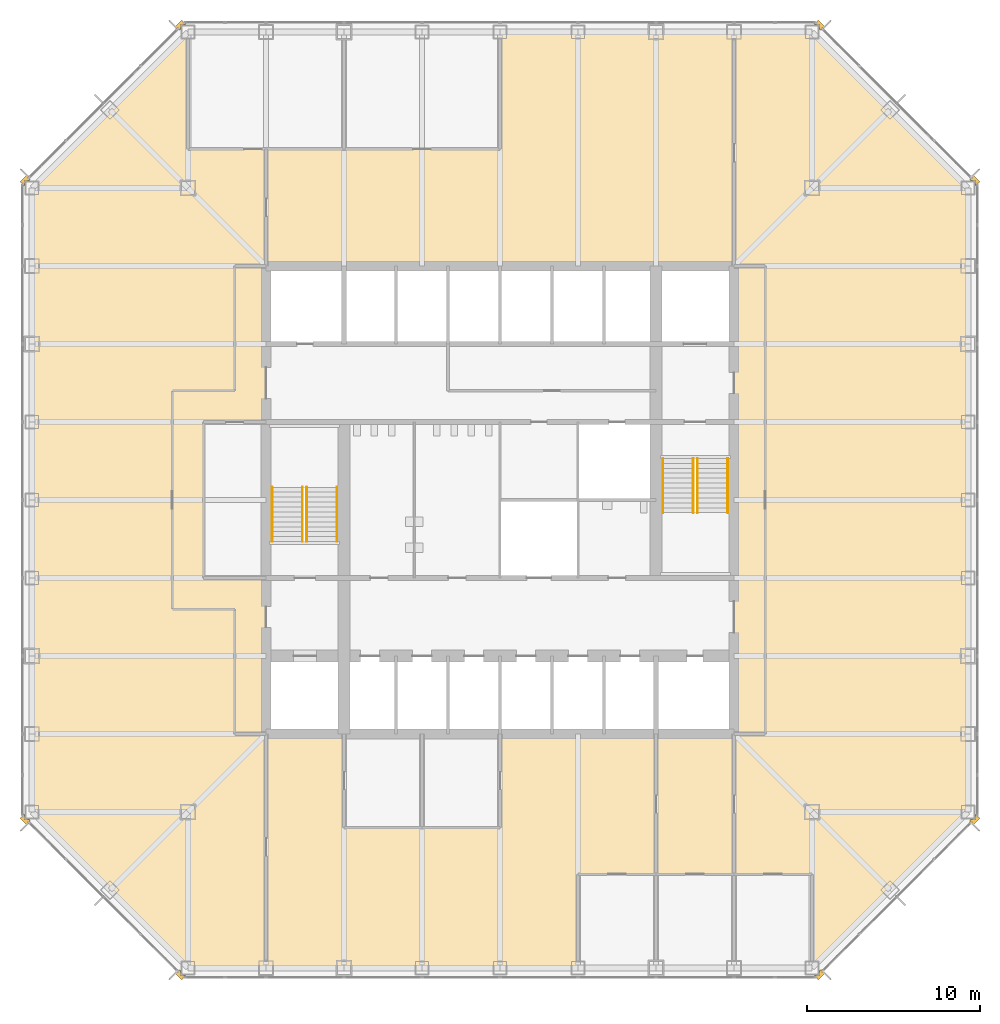
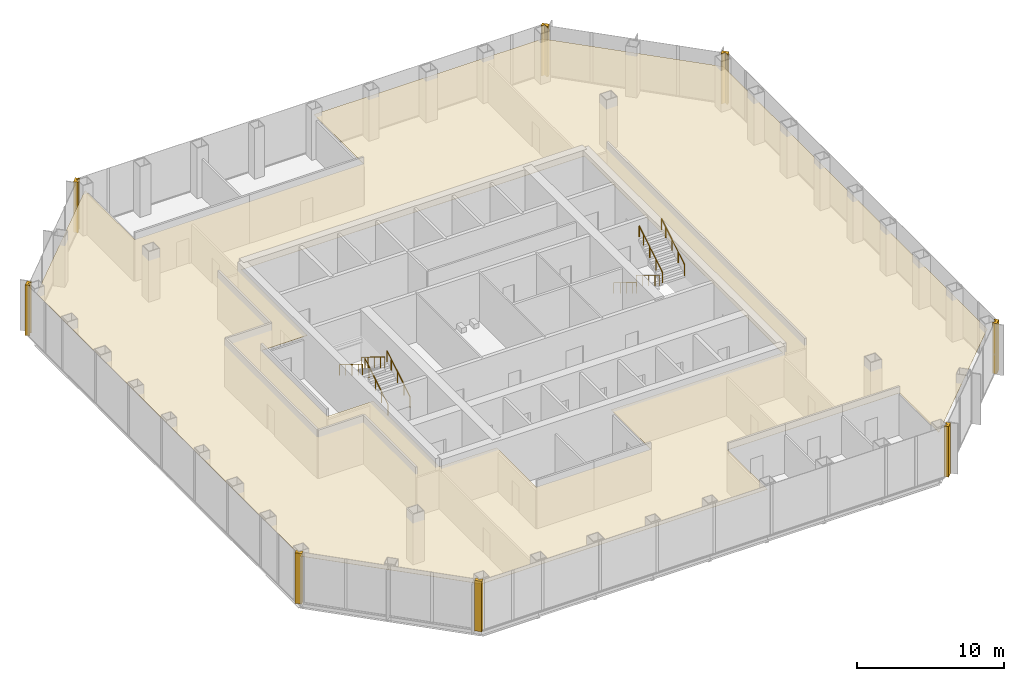
# One storey, part 11 of 12: 9 coverings, 8 railings.
"""IFC4 building model written with IfcOpenShell, lengths in metres."""

from ifc_helpers import new_model, si_unit, direction, frame, origin, origin_2d, place, context, subcontext, project, spatial, polyline, circle, outline, extrude, material, layer, layer_set, type_object, element, save


model = new_model("IFC4")

# Units and contexts
model_context = context("Model", 3, precision=1e-05, world=origin(), true_north=direction((0.0, 1.0)))
body_context = subcontext(model_context, "Body", "Model", "MODEL_VIEW")
ifc_project = project(units=[si_unit("LENGTHUNIT", "METRE"), si_unit("AREAUNIT", "SQUARE_METRE"), si_unit("VOLUMEUNIT", "CUBIC_METRE"), si_unit("PLANEANGLEUNIT", "RADIAN"), si_unit("MASSUNIT", "GRAM", prefix="KILO")], contexts=[model_context])

# Site, building, storey
site_placement = place(None, origin())
site = spatial("IfcSite", under=ifc_project, at=site_placement, CompositionType="ELEMENT")
building_placement = place(site_placement, origin())
building = spatial("IfcBuilding", under=site, at=building_placement, Name="Corais Broadcast Tower", CompositionType="ELEMENT")
storey_placement = place(building_placement, frame((0.0, 0.0, 50.0)))
storey = spatial("IfcBuildingStorey", under=building, at=storey_placement, Name="L10", CompositionType="ELEMENT", Elevation=50.0)

# Railings
ifc_material_1 = material(Name="Stainless steel handrail", Category="steel")
railing_type = type_object("IfcRailingType", Name="Handrail 920", PredefinedType="HANDRAIL", material=ifc_material_1)
for number, where, name in (
    (1, (17.60009765625, 24.60009765625, 0.175048828125), "HR1 L10"),
    (2, (15.85009765625, 24.60009765625, 0.175048828125), "HR1 L10"),
):
    element("IfcRailing", number, at=place(storey_placement, frame(where)), inside=storey, type_object=railing_type, Name=name, PredefinedType="HANDRAIL", context=body_context, shape_type="SweptSolid", body=[
        extrude(circle(Radius=0.02392578125, at=origin_2d()), frame((0.0, 0.0, 0.89599609375), z_axis=(0.0, 0.852166034122, 0.523271488128), x_axis=(-1.0, 0.0, 0.0)), (0.0, 0.0, 1.0), 3.678955078125),
        extrude(circle(Radius=0.02099609375, at=origin_2d()), origin(), (0.0, 0.0, 1.0), 0.871826171875),
        extrude(circle(Radius=0.02099609375, at=origin_2d()), frame((0.0, 0.85498046875, 0.52490234375)), (0.0, 0.0, 1.0), 0.871826171875),
        extrude(circle(Radius=0.02099609375, at=origin_2d()), frame((0.0, 1.7099609375, 1.050048828125)), (0.0, 0.0, 1.0), 0.871826171875),
        extrude(circle(Radius=0.02099609375, at=origin_2d()), frame((0.0, 2.56494140625, 1.574951171875)), (0.0, 0.0, 1.0), 0.871826171875),
        extrude(circle(Radius=0.02099609375, at=origin_2d()), frame((0.0, 3.135009765625, 1.925048828125)), (0.0, 0.0, 1.0), 0.871826171875),
    ])
for number, where, name in (
    (3, (13.85009765625, 27.735107421875, 2.27490234375), "HR1 L10"),
    (4, (15.60009765625, 27.735107421875, 2.27490234375), "HR1 L10"),
    (5, (36.39990234375, 29.39990234375, 0.175048828125), "HR1 L10"),
    (6, (38.14990234375, 29.39990234375, 0.175048828125), "HR1 L10"),
):
    element("IfcRailing", number, at=place(storey_placement, frame(where)), inside=storey, type_object=railing_type, Name=name, PredefinedType="HANDRAIL", context=body_context, shape_type="SweptSolid", body=[
        extrude(circle(Radius=0.02392578125, at=origin_2d()), frame((0.0, 0.0, 0.89599609375), z_axis=(0.0, -0.852166034122, 0.523271488128), x_axis=(1.0, 0.0, 0.0)), (0.0, 0.0, 1.0), 3.678955078125),
        extrude(circle(Radius=0.02099609375, at=origin_2d()), origin(), (0.0, 0.0, 1.0), 0.871826171875),
        extrude(circle(Radius=0.02099609375, at=origin_2d()), frame((0.0, -0.85498046875, 0.52490234375)), (0.0, 0.0, 1.0), 0.871826171875),
        extrude(circle(Radius=0.02099609375, at=origin_2d()), frame((0.0, -1.7099609375, 1.050048828125)), (0.0, 0.0, 1.0), 0.871826171875),
        extrude(circle(Radius=0.02099609375, at=origin_2d()), frame((0.0, -2.56494140625, 1.574951171875)), (0.0, 0.0, 1.0), 0.871826171875),
        extrude(circle(Radius=0.02099609375, at=origin_2d()), frame((0.0, -3.135009765625, 1.925048828125)), (0.0, 0.0, 1.0), 0.871826171875),
    ])
for number, where, name in (
    (7, (40.14990234375, 26.264892578125, 2.27490234375), "HR1 L10"),
    (8, (38.39990234375, 26.264892578125, 2.27490234375), "HR1 L10"),
):
    element("IfcRailing", number, at=place(storey_placement, frame(where)), inside=storey, type_object=railing_type, Name=name, PredefinedType="HANDRAIL", context=body_context, shape_type="SweptSolid", body=[
        extrude(circle(Radius=0.02392578125, at=origin_2d()), frame((0.0, 0.0, 0.89599609375), z_axis=(0.0, 0.852166034122, 0.523271488128), x_axis=(-1.0, 0.0, 0.0)), (0.0, 0.0, 1.0), 3.678955078125),
        extrude(circle(Radius=0.02099609375, at=origin_2d()), origin(), (0.0, 0.0, 1.0), 0.871826171875),
        extrude(circle(Radius=0.02099609375, at=origin_2d()), frame((0.0, 0.85498046875, 0.52490234375)), (0.0, 0.0, 1.0), 0.871826171875),
        extrude(circle(Radius=0.02099609375, at=origin_2d()), frame((0.0, 1.7099609375, 1.050048828125)), (0.0, 0.0, 1.0), 0.871826171875),
        extrude(circle(Radius=0.02099609375, at=origin_2d()), frame((0.0, 2.56494140625, 1.574951171875)), (0.0, 0.0, 1.0), 0.871826171875),
        extrude(circle(Radius=0.02099609375, at=origin_2d()), frame((0.0, 3.135009765625, 1.925048828125)), (0.0, 0.0, 1.0), 0.871826171875),
    ])

# Coverings
ifc_material_2 = material(Name="Granite stone cladding", Category="masonry")
ifc_layer_1 = layer(ifc_material_2, 0.324951171875)
ifc_layer_set_1 = layer_set([ifc_layer_1], Name="Granite stone cladding")
covering_type_1 = type_object("IfcCoveringType", Name="Stone corner pier cladding 500x325", PredefinedType="CLADDING", material=ifc_layer_set_1)
covering_1_placement = place(storey_placement, origin())
element("IfcCovering", 9, at=covering_1_placement, inside=storey, type_object=covering_type_1, Name="SP1 stone corner pier L10", PredefinedType="CLADDING", context=body_context, shape_type="SweptSolid", body=[
    extrude(outline(polyline([(8.860595703125, -0.461669921875), (8.823974609375, -0.425048828125), (8.574951171875, -0.425048828125), (8.574951171875, -0.176025390625), (8.507080078125, -0.108154296875), (8.277099609375, -0.337890625), (8.630859375, -0.69140625), (8.860595703125, -0.461669921875)])), origin(), (0.0, 0.0, 1.0), 4.199951171875),
])
covering_2_placement = place(storey_placement, origin())
element("IfcCovering", 10, at=covering_2_placement, inside=storey, type_object=covering_type_1, Name="SP1 stone corner pier L10", PredefinedType="CLADDING", context=body_context, shape_type="SweptSolid", body=[
    extrude(outline(polyline([(-0.425048828125, 8.823974609375), (-0.461669921875, 8.860595703125), (-0.69140625, 8.630859375), (-0.337890625, 8.277099609375), (-0.108154296875, 8.507080078125), (-0.176025390625, 8.574951171875), (-0.425048828125, 8.574951171875), (-0.425048828125, 8.823974609375)])), origin(), (0.0, 0.0, 1.0), 4.199951171875),
])
covering_3_placement = place(storey_placement, origin())
element("IfcCovering", 11, at=covering_3_placement, inside=storey, type_object=covering_type_1, Name="SP1 stone corner pier L10", PredefinedType="CLADDING", context=body_context, shape_type="SweptSolid", body=[
    extrude(outline(polyline([(-0.461669921875, 45.139404296875), (-0.425048828125, 45.176025390625), (-0.425048828125, 45.425048828125), (-0.176025390625, 45.425048828125), (-0.108154296875, 45.492919921875), (-0.337890625, 45.722900390625), (-0.69140625, 45.369140625), (-0.461669921875, 45.139404296875)])), origin(), (0.0, 0.0, 1.0), 4.199951171875),
])
covering_4_placement = place(storey_placement, origin())
element("IfcCovering", 12, at=covering_4_placement, inside=storey, type_object=covering_type_1, Name="SP1 stone corner pier L10", PredefinedType="CLADDING", context=body_context, shape_type="SweptSolid", body=[
    extrude(outline(polyline([(8.823974609375, 54.425048828125), (8.860595703125, 54.461669921875), (8.630859375, 54.69140625), (8.277099609375, 54.337890625), (8.507080078125, 54.108154296875), (8.574951171875, 54.176025390625), (8.574951171875, 54.425048828125), (8.823974609375, 54.425048828125)])), origin(), (0.0, 0.0, 1.0), 4.199951171875),
])
covering_5_placement = place(storey_placement, origin())
element("IfcCovering", 13, at=covering_5_placement, inside=storey, type_object=covering_type_1, Name="SP1 stone corner pier L10", PredefinedType="CLADDING", context=body_context, shape_type="SweptSolid", body=[
    extrude(outline(polyline([(45.139404296875, 54.461669921875), (45.176025390625, 54.425048828125), (45.425048828125, 54.425048828125), (45.425048828125, 54.176025390625), (45.492919921875, 54.108154296875), (45.722900390625, 54.337890625), (45.369140625, 54.69140625), (45.139404296875, 54.461669921875)])), origin(), (0.0, 0.0, 1.0), 4.199951171875),
])
covering_6_placement = place(storey_placement, origin())
element("IfcCovering", 14, at=covering_6_placement, inside=storey, type_object=covering_type_1, Name="SP1 stone corner pier L10", PredefinedType="CLADDING", context=body_context, shape_type="SweptSolid", body=[
    extrude(outline(polyline([(54.425048828125, 45.176025390625), (54.461669921875, 45.139404296875), (54.69140625, 45.369140625), (54.337890625, 45.722900390625), (54.108154296875, 45.492919921875), (54.176025390625, 45.425048828125), (54.425048828125, 45.425048828125), (54.425048828125, 45.176025390625)])), origin(), (0.0, 0.0, 1.0), 4.199951171875),
])
covering_7_placement = place(storey_placement, origin())
element("IfcCovering", 15, at=covering_7_placement, inside=storey, type_object=covering_type_1, Name="SP1 stone corner pier L10", PredefinedType="CLADDING", context=body_context, shape_type="SweptSolid", body=[
    extrude(outline(polyline([(54.461669921875, 8.860595703125), (54.425048828125, 8.823974609375), (54.425048828125, 8.574951171875), (54.176025390625, 8.574951171875), (54.108154296875, 8.507080078125), (54.337890625, 8.277099609375), (54.69140625, 8.630859375), (54.461669921875, 8.860595703125)])), origin(), (0.0, 0.0, 1.0), 4.199951171875),
])
covering_8_placement = place(storey_placement, origin())
element("IfcCovering", 16, at=covering_8_placement, inside=storey, type_object=covering_type_1, Name="SP1 stone corner pier L10", PredefinedType="CLADDING", context=body_context, shape_type="SweptSolid", body=[
    extrude(outline(polyline([(45.176025390625, -0.425048828125), (45.139404296875, -0.461669921875), (45.369140625, -0.69140625), (45.722900390625, -0.337890625), (45.492919921875, -0.108154296875), (45.425048828125, -0.176025390625), (45.425048828125, -0.425048828125), (45.176025390625, -0.425048828125)])), origin(), (0.0, 0.0, 1.0), 4.199951171875),
])
ifc_material_3 = material(Name="Mineral fibre ceiling tile", Category="mineral")
ifc_layer_2 = layer(ifc_material_3, 0.02001953125)
ifc_layer_set_2 = layer_set([ifc_layer_2], Name="Mineral fibre ceiling tile")
covering_type_2 = type_object("IfcCoveringType", Name="Suspended ceiling", PredefinedType="CEILING", material=ifc_layer_set_2)
covering_9_placement = place(storey_placement, frame((0.0, 0.0, 3.419921875)))
element("IfcCovering", 17, at=covering_9_placement, inside=storey, type_object=covering_type_2, Name="CE1 ceiling L10", PredefinedType="CEILING", context=body_context, shape_type="SweptSolid", body=[
    extrude(outline(polyline([(31.5, 5.39990234375), (31.5, 0.0), (9.0, 0.0), (0.0, 9.0), (0.0, 45.0), (9.0, 54.0), (9.0, 47.25), (27.0, 47.25), (27.0, 54.0), (45.0, 54.0), (54.0, 45.0), (54.0, 9.0), (45.0, 0.0), (45.0, 5.39990234375), (31.5, 5.39990234375)]), holes=[polyline([(18.0, 13.5), (18.0, 8.10009765625), (27.0, 8.10009765625), (27.0, 13.5), (40.5, 13.5), (40.5, 40.5), (13.5, 40.5), (13.5, 31.5), (9.89990234375, 31.5), (9.89990234375, 22.5), (13.5, 22.5), (13.5, 13.5), (18.0, 13.5)])]), origin(), (0.0, 0.0, 1.0), 0.02001953125),
])

save(model, "model.ifc")
